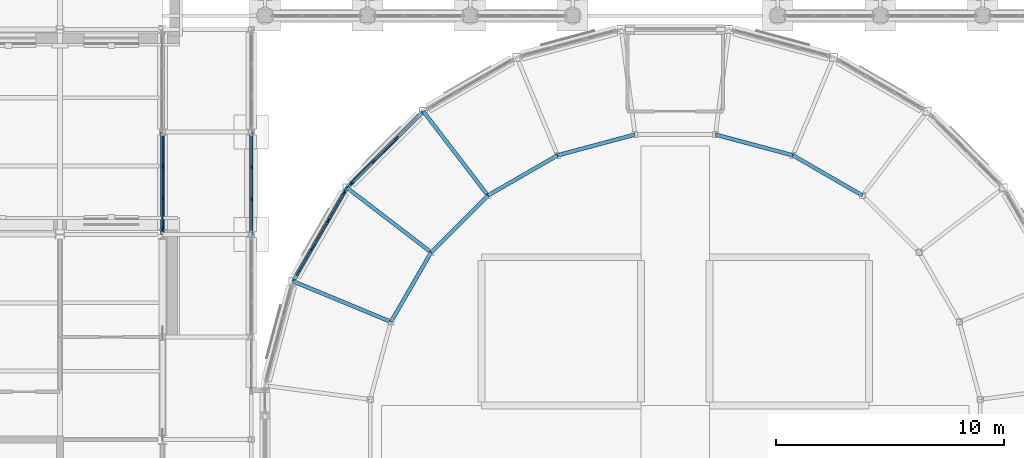
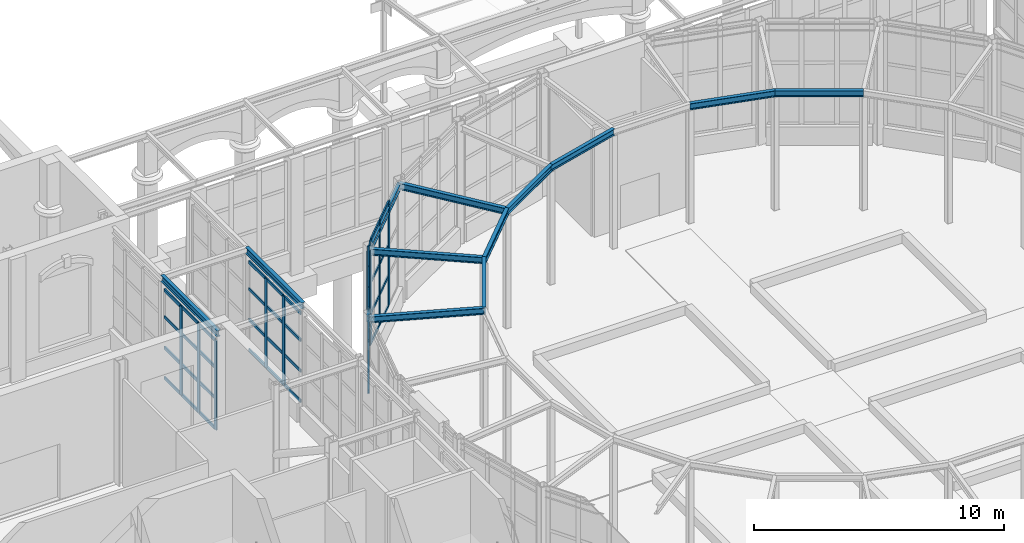
# One storey, part 31 of 106: 54 members, 13 beams, 4 elements without a shape of their own.
"""IFC4 building model written with IfcOpenShell, lengths in metres."""

from ifc_helpers import new_model, si_unit, direction, frame, origin, origin_2d, place, context, subcontext, project, spatial, rectangle, i_section, extrude, material, layer, layer_set, material_profile, profile_set, type_object, element, aggregate, save


model = new_model("IFC4")

# Units and contexts
model_context = context("Model", 3, precision=1e-05, world=origin(), true_north=direction((0.0, 1.0)))
body_context = subcontext(model_context, "Body", "Model", "MODEL_VIEW")
ifc_project = project(units=[si_unit("LENGTHUNIT", "METRE"), si_unit("AREAUNIT", "SQUARE_METRE"), si_unit("VOLUMEUNIT", "CUBIC_METRE"), si_unit("PLANEANGLEUNIT", "RADIAN"), si_unit("MASSUNIT", "GRAM", prefix="KILO")], contexts=[model_context])

# Site, building, storey
site_placement = place(None, origin())
site = spatial("IfcSite", under=ifc_project, at=site_placement, CompositionType="ELEMENT")
building_placement = place(site_placement, origin())
building = spatial("IfcBuilding", under=site, at=building_placement, Name="Hortulan Conservatory and Botanical Research Centre", CompositionType="ELEMENT")
storey_placement = place(building_placement, origin())
storey = spatial("IfcBuildingStorey", under=building, at=storey_placement, Name="L00", CompositionType="ELEMENT", Elevation=0.0)

# Curtain wall, members
ifc_material_1 = material(Name="Bronze-finished aluminium", Category="aluminium")
ifc_layer = layer(ifc_material_1, 0.10009765625)
ifc_layer_set = layer_set([ifc_layer], Name="Bronze-framed Curtain Wall 1500 module")
curtain_wall_type = type_object("IfcCurtainWallType", Name="Bronze-framed Curtain Wall 1500 module", PredefinedType="NOTDEFINED", material=ifc_layer_set)
curtain_wall_1_placement = place(storey_placement, origin())
curtain_wall_1 = element("IfcCurtainWall", 1, at=curtain_wall_1_placement, inside=storey, type_object=curtain_wall_type, Name="Curtain wall", PredefinedType="NOTDEFINED")
ifc_material_profile_1 = material_profile(ifc_material_1, rectangle(XDim=0.06005859375, YDim=0.199951171875, at=origin_2d()), Name="Bronze Mullion 60x200")
ifc_profile_set_1 = profile_set([ifc_material_profile_1], Name="Bronze-finished aluminium")
member_type_1 = type_object("IfcMemberType", Name="Bronze Mullion 60x200", PredefinedType="MULLION", material=ifc_profile_set_1)
member_1_placement = place(storey_placement, frame((39.792236328125, 29.248046875, 0.89990234375), z_axis=(0.0, 0.0, 1.0), x_axis=(-0.707118558159, 0.707095004018, 0.0)))
member_1 = element("IfcMember", 2, at=member_1_placement, type_object=member_type_1, Name="CW1 mullion 1", PredefinedType="MULLION", context=body_context, shape_type="SweptSolid", body=[
    extrude(rectangle(XDim=0.06005859375, YDim=0.199951171875, at=origin_2d()), origin(), (0.0, 0.0, 1.0), 5.10009765625),
])
member_2_placement = place(storey_placement, frame((40.771728515625, 30.2275390625, 0.89990234375), z_axis=(0.0, 0.0, 1.0), x_axis=(-0.707118558159, 0.707095004018, 0.0)))
member_2 = element("IfcMember", 3, at=member_2_placement, type_object=member_type_1, Name="CW1 mullion 2", PredefinedType="MULLION", context=body_context, shape_type="SweptSolid", body=[
    extrude(rectangle(XDim=0.06005859375, YDim=0.199951171875, at=origin_2d()), origin(), (0.0, 0.0, 1.0), 5.10009765625),
])
member_3_placement = place(storey_placement, frame((41.7724609375, 31.228271484375, 0.89990234375), z_axis=(0.0, 0.0, 1.0), x_axis=(-0.707118558159, 0.707095004018, 0.0)))
member_3 = element("IfcMember", 4, at=member_3_placement, type_object=member_type_1, Name="CW1 mullion 3", PredefinedType="MULLION", context=body_context, shape_type="SweptSolid", body=[
    extrude(rectangle(XDim=0.06005859375, YDim=0.199951171875, at=origin_2d()), origin(), (0.0, 0.0, 1.0), 5.10009765625),
])

curtain_wall_2_placement = place(storey_placement, origin())
curtain_wall_2 = element("IfcCurtainWall", 5, at=curtain_wall_2_placement, inside=storey, type_object=curtain_wall_type, Name="Curtain wall", PredefinedType="NOTDEFINED")
member_4_placement = place(storey_placement, frame((38.056396484375, 26.385009765625, 0.89990234375), z_axis=(0.0, 0.0, 1.0), x_axis=(-0.866036280655, 0.499981160235, 0.0)))
member_4 = element("IfcMember", 6, at=member_4_placement, type_object=member_type_1, Name="CW1 mullion 2", PredefinedType="MULLION", context=body_context, shape_type="SweptSolid", body=[
    extrude(rectangle(XDim=0.06005859375, YDim=0.199951171875, at=origin_2d()), origin(), (0.0, 0.0, 1.0), 5.10009765625),
])
member_5_placement = place(storey_placement, frame((38.7666015625, 27.614990234375, 0.89990234375), z_axis=(0.0, 0.0, 1.0), x_axis=(-0.866036280655, 0.499981160235, 0.0)))
member_5 = element("IfcMember", 7, at=member_5_placement, type_object=member_type_1, Name="CW1 mullion 3", PredefinedType="MULLION", context=body_context, shape_type="SweptSolid", body=[
    extrude(rectangle(XDim=0.06005859375, YDim=0.199951171875, at=origin_2d()), origin(), (0.0, 0.0, 1.0), 5.10009765625),
])
member_6_placement = place(storey_placement, frame((39.461669921875, 28.81884765625, 0.89990234375), z_axis=(0.0, 0.0, 1.0), x_axis=(-0.866036280655, 0.499981160235, 0.0)))
member_6 = element("IfcMember", 8, at=member_6_placement, type_object=member_type_1, Name="CW1 mullion 4", PredefinedType="MULLION", context=body_context, shape_type="SweptSolid", body=[
    extrude(rectangle(XDim=0.06005859375, YDim=0.199951171875, at=origin_2d()), origin(), (0.0, 0.0, 1.0), 5.10009765625),
])

curtain_wall_3_placement = place(storey_placement, origin())
curtain_wall_3 = element("IfcCurtainWall", 9, at=curtain_wall_3_placement, inside=storey, type_object=curtain_wall_type, Name="Curtain wall", PredefinedType="NOTDEFINED")
member_7_placement = place(storey_placement, frame((35.39990234375, 29.958251953125, 0.89990234375), z_axis=(0.0, 0.0, 1.0), x_axis=(1.0, 0.0, 0.0)))
member_7 = element("IfcMember", 10, at=member_7_placement, type_object=member_type_1, Name="CW1 mullion 2", PredefinedType="MULLION", context=body_context, shape_type="SweptSolid", body=[
    extrude(rectangle(XDim=0.06005859375, YDim=0.199951171875, at=origin_2d()), origin(), (0.0, 0.0, 1.0), 4.340087890625),
])
member_8_placement = place(storey_placement, frame((35.39990234375, 28.541748046875, 0.89990234375), z_axis=(0.0, 0.0, 1.0), x_axis=(1.0, 0.0, 0.0)))
member_8 = element("IfcMember", 11, at=member_8_placement, type_object=member_type_1, Name="CW1 mullion 3", PredefinedType="MULLION", context=body_context, shape_type="SweptSolid", body=[
    extrude(rectangle(XDim=0.06005859375, YDim=0.199951171875, at=origin_2d()), origin(), (0.0, 0.0, 1.0), 4.340087890625),
])

curtain_wall_4_placement = place(storey_placement, origin())
curtain_wall_4 = element("IfcCurtainWall", 12, at=curtain_wall_4_placement, inside=storey, type_object=curtain_wall_type, Name="Curtain wall", PredefinedType="NOTDEFINED")
member_9_placement = place(storey_placement, frame((31.5, 27.240966796875, 0.89990234375), z_axis=(0.0, 0.0, 1.0), x_axis=(-1.0, 0.0, 0.0)))
member_9 = element("IfcMember", 13, at=member_9_placement, type_object=member_type_1, Name="CW1 mullion 1", PredefinedType="MULLION", context=body_context, shape_type="SweptSolid", body=[
    extrude(rectangle(XDim=0.06005859375, YDim=0.199951171875, at=origin_2d()), origin(), (0.0, 0.0, 1.0), 4.340087890625),
])
member_10_placement = place(storey_placement, frame((31.5, 28.59912109375, 0.89990234375), z_axis=(0.0, 0.0, 1.0), x_axis=(-1.0, 0.0, 0.0)))
member_10 = element("IfcMember", 14, at=member_10_placement, type_object=member_type_1, Name="CW1 mullion 2", PredefinedType="MULLION", context=body_context, shape_type="SweptSolid", body=[
    extrude(rectangle(XDim=0.06005859375, YDim=0.199951171875, at=origin_2d()), origin(), (0.0, 0.0, 1.0), 4.340087890625),
])
member_11_placement = place(storey_placement, frame((31.5, 29.987060546875, 0.89990234375), z_axis=(0.0, 0.0, 1.0), x_axis=(-1.0, 0.0, 0.0)))
member_11 = element("IfcMember", 15, at=member_11_placement, type_object=member_type_1, Name="CW1 mullion 3", PredefinedType="MULLION", context=body_context, shape_type="SweptSolid", body=[
    extrude(rectangle(XDim=0.06005859375, YDim=0.199951171875, at=origin_2d()), origin(), (0.0, 0.0, 1.0), 4.340087890625),
])

# Member
ifc_material_profile_2 = material_profile(ifc_material_1, rectangle(XDim=0.06005859375, YDim=0.14990234375, at=origin_2d()), Name="Bronze Transom 60x150")
ifc_profile_set_2 = profile_set([ifc_material_profile_2], Name="Bronze-finished aluminium")
member_type_2 = type_object("IfcMemberType", Name="Bronze Transom 60x150", PredefinedType="USERDEFINED", material=ifc_profile_set_2)
member_12_placement = place(storey_placement, frame((39.8134765625, 29.269287109375, 0.929931640625), z_axis=(0.707106781187, 0.707106781187, 0.0), x_axis=(-0.707106781187, 0.707106781187, 0.0)))
member_12 = element("IfcMember", 16, at=member_12_placement, type_object=member_type_2, Name="CW1 transom 1.1", ObjectType="TRANSOM", PredefinedType="USERDEFINED", context=body_context, shape_type="SweptSolid", body=[
    extrude(rectangle(XDim=0.06005859375, YDim=0.14990234375, at=origin_2d()), origin(), (0.0, 0.0, 1.0), 1.3251953125),
])

member_13_placement = place(storey_placement, frame((39.8134765625, 29.269287109375, 2.39990234375), z_axis=(0.707106781187, 0.707106781187, 0.0), x_axis=(-0.707106781187, 0.707106781187, 0.0)))
member_13 = element("IfcMember", 17, at=member_13_placement, type_object=member_type_2, Name="CW1 transom 1.2", ObjectType="TRANSOM", PredefinedType="USERDEFINED", context=body_context, shape_type="SweptSolid", body=[
    extrude(rectangle(XDim=0.06005859375, YDim=0.14990234375, at=origin_2d()), origin(), (0.0, 0.0, 1.0), 1.3251953125),
])

member_14_placement = place(storey_placement, frame((39.8134765625, 29.269287109375, 3.89990234375), z_axis=(0.707106781187, 0.707106781187, 0.0), x_axis=(-0.707106781187, 0.707106781187, 0.0)))
member_14 = element("IfcMember", 18, at=member_14_placement, type_object=member_type_2, Name="CW1 transom 1.3", ObjectType="TRANSOM", PredefinedType="USERDEFINED", context=body_context, shape_type="SweptSolid", body=[
    extrude(rectangle(XDim=0.06005859375, YDim=0.14990234375, at=origin_2d()), origin(), (0.0, 0.0, 1.0), 1.3251953125),
])

member_15_placement = place(storey_placement, frame((39.8134765625, 29.269287109375, 5.969970703125), z_axis=(0.707106781187, 0.707106781187, 0.0), x_axis=(-0.707106781187, 0.707106781187, 0.0)))
member_15 = element("IfcMember", 19, at=member_15_placement, type_object=member_type_2, Name="CW1 transom 1.4", ObjectType="TRANSOM", PredefinedType="USERDEFINED", context=body_context, shape_type="SweptSolid", body=[
    extrude(rectangle(XDim=0.06005859375, YDim=0.14990234375, at=origin_2d()), origin(), (0.0, 0.0, 1.0), 1.3251953125),
])

member_16_placement = place(storey_placement, frame((40.79296875, 30.248779296875, 0.929931640625), z_axis=(0.707106781187, 0.707106781187, 0.0), x_axis=(-0.707106781187, 0.707106781187, 0.0)))
member_16 = element("IfcMember", 20, at=member_16_placement, type_object=member_type_2, Name="CW1 transom 2.1", ObjectType="TRANSOM", PredefinedType="USERDEFINED", context=body_context, shape_type="SweptSolid", body=[
    extrude(rectangle(XDim=0.06005859375, YDim=0.14990234375, at=origin_2d()), origin(), (0.0, 0.0, 1.0), 1.355224609375),
])

member_17_placement = place(storey_placement, frame((40.79296875, 30.248779296875, 2.39990234375), z_axis=(0.707106781187, 0.707106781187, 0.0), x_axis=(-0.707106781187, 0.707106781187, 0.0)))
member_17 = element("IfcMember", 21, at=member_17_placement, type_object=member_type_2, Name="CW1 transom 2.2", ObjectType="TRANSOM", PredefinedType="USERDEFINED", context=body_context, shape_type="SweptSolid", body=[
    extrude(rectangle(XDim=0.06005859375, YDim=0.14990234375, at=origin_2d()), origin(), (0.0, 0.0, 1.0), 1.355224609375),
])

member_18_placement = place(storey_placement, frame((40.79296875, 30.248779296875, 3.89990234375), z_axis=(0.707106781187, 0.707106781187, 0.0), x_axis=(-0.707106781187, 0.707106781187, 0.0)))
member_18 = element("IfcMember", 22, at=member_18_placement, type_object=member_type_2, Name="CW1 transom 2.3", ObjectType="TRANSOM", PredefinedType="USERDEFINED", context=body_context, shape_type="SweptSolid", body=[
    extrude(rectangle(XDim=0.06005859375, YDim=0.14990234375, at=origin_2d()), origin(), (0.0, 0.0, 1.0), 1.355224609375),
])

member_19_placement = place(storey_placement, frame((40.79296875, 30.248779296875, 5.969970703125), z_axis=(0.707106781187, 0.707106781187, 0.0), x_axis=(-0.707106781187, 0.707106781187, 0.0)))
member_19 = element("IfcMember", 23, at=member_19_placement, type_object=member_type_2, Name="CW1 transom 2.4", ObjectType="TRANSOM", PredefinedType="USERDEFINED", context=body_context, shape_type="SweptSolid", body=[
    extrude(rectangle(XDim=0.06005859375, YDim=0.14990234375, at=origin_2d()), origin(), (0.0, 0.0, 1.0), 1.355224609375),
])

aggregate(curtain_wall_1, [member_1, member_2, member_3, member_12, member_13, member_14, member_15, member_16, member_17, member_18, member_19])

member_20_placement = place(storey_placement, frame((37.37646484375, 25.20703125, 2.39990234375), z_axis=(0.499928984136, 0.866066400931, 0.0), x_axis=(-0.866066400931, 0.499928984136, 0.0)))
member_20 = element("IfcMember", 24, at=member_20_placement, type_object=member_type_2, Name="CW1 transom 1.2", ObjectType="TRANSOM", PredefinedType="USERDEFINED", context=body_context, shape_type="SweptSolid", body=[
    extrude(rectangle(XDim=0.06005859375, YDim=0.14990234375, at=origin_2d()), origin(), (0.0, 0.0, 1.0), 1.330322265625),
])

member_21_placement = place(storey_placement, frame((37.37646484375, 25.20703125, 3.89990234375), z_axis=(0.499928984136, 0.866066400931, 0.0), x_axis=(-0.866066400931, 0.499928984136, 0.0)))
member_21 = element("IfcMember", 25, at=member_21_placement, type_object=member_type_2, Name="CW1 transom 1.3", ObjectType="TRANSOM", PredefinedType="USERDEFINED", context=body_context, shape_type="SweptSolid", body=[
    extrude(rectangle(XDim=0.06005859375, YDim=0.14990234375, at=origin_2d()), origin(), (0.0, 0.0, 1.0), 1.330322265625),
])

member_22_placement = place(storey_placement, frame((37.37646484375, 25.20703125, 5.969970703125), z_axis=(0.499928984136, 0.866066400931, 0.0), x_axis=(-0.866066400931, 0.499928984136, 0.0)))
member_22 = element("IfcMember", 26, at=member_22_placement, type_object=member_type_2, Name="CW1 transom 1.4", ObjectType="TRANSOM", PredefinedType="USERDEFINED", context=body_context, shape_type="SweptSolid", body=[
    extrude(rectangle(XDim=0.06005859375, YDim=0.14990234375, at=origin_2d()), origin(), (0.0, 0.0, 1.0), 1.330322265625),
])

member_23_placement = place(storey_placement, frame((38.071533203125, 26.4111328125, 0.929931640625), z_axis=(0.499981459473, 0.866036107898, 0.0), x_axis=(-0.866036107898, 0.499981459473, 0.0)))
member_23 = element("IfcMember", 27, at=member_23_placement, type_object=member_type_2, Name="CW1 transom 2.1", ObjectType="TRANSOM", PredefinedType="USERDEFINED", context=body_context, shape_type="SweptSolid", body=[
    extrude(rectangle(XDim=0.06005859375, YDim=0.14990234375, at=origin_2d()), origin(), (0.0, 0.0, 1.0), 1.35986328125),
])

member_24_placement = place(storey_placement, frame((38.071533203125, 26.4111328125, 2.39990234375), z_axis=(0.499981459473, 0.866036107898, 0.0), x_axis=(-0.866036107898, 0.499981459473, 0.0)))
member_24 = element("IfcMember", 28, at=member_24_placement, type_object=member_type_2, Name="CW1 transom 2.2", ObjectType="TRANSOM", PredefinedType="USERDEFINED", context=body_context, shape_type="SweptSolid", body=[
    extrude(rectangle(XDim=0.06005859375, YDim=0.14990234375, at=origin_2d()), origin(), (0.0, 0.0, 1.0), 1.35986328125),
])

member_25_placement = place(storey_placement, frame((38.071533203125, 26.4111328125, 3.89990234375), z_axis=(0.499981459473, 0.866036107898, 0.0), x_axis=(-0.866036107898, 0.499981459473, 0.0)))
member_25 = element("IfcMember", 29, at=member_25_placement, type_object=member_type_2, Name="CW1 transom 2.3", ObjectType="TRANSOM", PredefinedType="USERDEFINED", context=body_context, shape_type="SweptSolid", body=[
    extrude(rectangle(XDim=0.06005859375, YDim=0.14990234375, at=origin_2d()), origin(), (0.0, 0.0, 1.0), 1.35986328125),
])

member_26_placement = place(storey_placement, frame((38.071533203125, 26.4111328125, 5.969970703125), z_axis=(0.499981459473, 0.866036107898, 0.0), x_axis=(-0.866036107898, 0.499981459473, 0.0)))
member_26 = element("IfcMember", 30, at=member_26_placement, type_object=member_type_2, Name="CW1 transom 2.4", ObjectType="TRANSOM", PredefinedType="USERDEFINED", context=body_context, shape_type="SweptSolid", body=[
    extrude(rectangle(XDim=0.06005859375, YDim=0.14990234375, at=origin_2d()), origin(), (0.0, 0.0, 1.0), 1.35986328125),
])

member_27_placement = place(storey_placement, frame((38.781494140625, 27.640869140625, 0.929931640625), z_axis=(0.499928984136, 0.866066400931, 0.0), x_axis=(-0.866066400931, 0.499928984136, 0.0)))
member_27 = element("IfcMember", 31, at=member_27_placement, type_object=member_type_2, Name="CW1 transom 3.1", ObjectType="TRANSOM", PredefinedType="USERDEFINED", context=body_context, shape_type="SweptSolid", body=[
    extrude(rectangle(XDim=0.06005859375, YDim=0.14990234375, at=origin_2d()), origin(), (0.0, 0.0, 1.0), 1.330322265625),
])

member_28_placement = place(storey_placement, frame((38.781494140625, 27.640869140625, 2.39990234375), z_axis=(0.499928984136, 0.866066400931, 0.0), x_axis=(-0.866066400931, 0.499928984136, 0.0)))
member_28 = element("IfcMember", 32, at=member_28_placement, type_object=member_type_2, Name="CW1 transom 3.2", ObjectType="TRANSOM", PredefinedType="USERDEFINED", context=body_context, shape_type="SweptSolid", body=[
    extrude(rectangle(XDim=0.06005859375, YDim=0.14990234375, at=origin_2d()), origin(), (0.0, 0.0, 1.0), 1.330322265625),
])

member_29_placement = place(storey_placement, frame((38.781494140625, 27.640869140625, 3.89990234375), z_axis=(0.499928984136, 0.866066400931, 0.0), x_axis=(-0.866066400931, 0.499928984136, 0.0)))
member_29 = element("IfcMember", 33, at=member_29_placement, type_object=member_type_2, Name="CW1 transom 3.3", ObjectType="TRANSOM", PredefinedType="USERDEFINED", context=body_context, shape_type="SweptSolid", body=[
    extrude(rectangle(XDim=0.06005859375, YDim=0.14990234375, at=origin_2d()), origin(), (0.0, 0.0, 1.0), 1.330322265625),
])

member_30_placement = place(storey_placement, frame((38.781494140625, 27.640869140625, 5.969970703125), z_axis=(0.499928984136, 0.866066400931, 0.0), x_axis=(-0.866066400931, 0.499928984136, 0.0)))
member_30 = element("IfcMember", 34, at=member_30_placement, type_object=member_type_2, Name="CW1 transom 3.4", ObjectType="TRANSOM", PredefinedType="USERDEFINED", context=body_context, shape_type="SweptSolid", body=[
    extrude(rectangle(XDim=0.06005859375, YDim=0.14990234375, at=origin_2d()), origin(), (0.0, 0.0, 1.0), 1.330322265625),
])

aggregate(curtain_wall_2, [member_4, member_5, member_6, member_20, member_21, member_22, member_23, member_24, member_25, member_26, member_27, member_28, member_29, member_30])

member_31_placement = place(storey_placement, frame((35.39990234375, 31.31494140625, 0.929931640625), z_axis=(0.0, -1.0, 0.0), x_axis=(1.0, 0.0, 0.0)))
member_31 = element("IfcMember", 35, at=member_31_placement, type_object=member_type_2, Name="CW1 transom 1.1", ObjectType="TRANSOM", PredefinedType="USERDEFINED", context=body_context, shape_type="SweptSolid", body=[
    extrude(rectangle(XDim=0.06005859375, YDim=0.14990234375, at=origin_2d()), origin(), (0.0, 0.0, 1.0), 1.32666015625),
])

member_32_placement = place(storey_placement, frame((35.39990234375, 31.31494140625, 2.39990234375), z_axis=(0.0, -1.0, 0.0), x_axis=(1.0, 0.0, 0.0)))
member_32 = element("IfcMember", 36, at=member_32_placement, type_object=member_type_2, Name="CW1 transom 1.2", ObjectType="TRANSOM", PredefinedType="USERDEFINED", context=body_context, shape_type="SweptSolid", body=[
    extrude(rectangle(XDim=0.06005859375, YDim=0.14990234375, at=origin_2d()), origin(), (0.0, 0.0, 1.0), 1.32666015625),
])

member_33_placement = place(storey_placement, frame((35.39990234375, 31.31494140625, 3.89990234375), z_axis=(0.0, -1.0, 0.0), x_axis=(1.0, 0.0, 0.0)))
member_33 = element("IfcMember", 37, at=member_33_placement, type_object=member_type_2, Name="CW1 transom 1.3", ObjectType="TRANSOM", PredefinedType="USERDEFINED", context=body_context, shape_type="SweptSolid", body=[
    extrude(rectangle(XDim=0.06005859375, YDim=0.14990234375, at=origin_2d()), origin(), (0.0, 0.0, 1.0), 1.32666015625),
])

member_34_placement = place(storey_placement, frame((35.39990234375, 31.31494140625, 5.2099609375), z_axis=(0.0, -1.0, 0.0), x_axis=(1.0, 0.0, 0.0)))
member_34 = element("IfcMember", 38, at=member_34_placement, type_object=member_type_2, Name="CW1 transom 1.4", ObjectType="TRANSOM", PredefinedType="USERDEFINED", context=body_context, shape_type="SweptSolid", body=[
    extrude(rectangle(XDim=0.06005859375, YDim=0.14990234375, at=origin_2d()), origin(), (0.0, 0.0, 1.0), 1.32666015625),
])

member_35_placement = place(storey_placement, frame((35.39990234375, 29.92822265625, 0.929931640625), z_axis=(0.0, -1.0, 0.0), x_axis=(1.0, 0.0, 0.0)))
member_35 = element("IfcMember", 39, at=member_35_placement, type_object=member_type_2, Name="CW1 transom 2.1", ObjectType="TRANSOM", PredefinedType="USERDEFINED", context=body_context, shape_type="SweptSolid", body=[
    extrude(rectangle(XDim=0.06005859375, YDim=0.14990234375, at=origin_2d()), origin(), (0.0, 0.0, 1.0), 1.3564453125),
])

member_36_placement = place(storey_placement, frame((35.39990234375, 29.92822265625, 2.39990234375), z_axis=(0.0, -1.0, 0.0), x_axis=(1.0, 0.0, 0.0)))
member_36 = element("IfcMember", 40, at=member_36_placement, type_object=member_type_2, Name="CW1 transom 2.2", ObjectType="TRANSOM", PredefinedType="USERDEFINED", context=body_context, shape_type="SweptSolid", body=[
    extrude(rectangle(XDim=0.06005859375, YDim=0.14990234375, at=origin_2d()), origin(), (0.0, 0.0, 1.0), 1.3564453125),
])

member_37_placement = place(storey_placement, frame((35.39990234375, 29.92822265625, 3.89990234375), z_axis=(0.0, -1.0, 0.0), x_axis=(1.0, 0.0, 0.0)))
member_37 = element("IfcMember", 41, at=member_37_placement, type_object=member_type_2, Name="CW1 transom 2.3", ObjectType="TRANSOM", PredefinedType="USERDEFINED", context=body_context, shape_type="SweptSolid", body=[
    extrude(rectangle(XDim=0.06005859375, YDim=0.14990234375, at=origin_2d()), origin(), (0.0, 0.0, 1.0), 1.3564453125),
])

member_38_placement = place(storey_placement, frame((35.39990234375, 29.92822265625, 5.2099609375), z_axis=(0.0, -1.0, 0.0), x_axis=(1.0, 0.0, 0.0)))
member_38 = element("IfcMember", 42, at=member_38_placement, type_object=member_type_2, Name="CW1 transom 2.4", ObjectType="TRANSOM", PredefinedType="USERDEFINED", context=body_context, shape_type="SweptSolid", body=[
    extrude(rectangle(XDim=0.06005859375, YDim=0.14990234375, at=origin_2d()), origin(), (0.0, 0.0, 1.0), 1.3564453125),
])

member_39_placement = place(storey_placement, frame((35.39990234375, 28.51171875, 0.929931640625), z_axis=(0.0, -1.0, 0.0), x_axis=(1.0, 0.0, 0.0)))
member_39 = element("IfcMember", 43, at=member_39_placement, type_object=member_type_2, Name="CW1 transom 3.1", ObjectType="TRANSOM", PredefinedType="USERDEFINED", context=body_context, shape_type="SweptSolid", body=[
    extrude(rectangle(XDim=0.06005859375, YDim=0.14990234375, at=origin_2d()), origin(), (0.0, 0.0, 1.0), 1.32666015625),
])

member_40_placement = place(storey_placement, frame((35.39990234375, 28.51171875, 2.39990234375), z_axis=(0.0, -1.0, 0.0), x_axis=(1.0, 0.0, 0.0)))
member_40 = element("IfcMember", 44, at=member_40_placement, type_object=member_type_2, Name="CW1 transom 3.2", ObjectType="TRANSOM", PredefinedType="USERDEFINED", context=body_context, shape_type="SweptSolid", body=[
    extrude(rectangle(XDim=0.06005859375, YDim=0.14990234375, at=origin_2d()), origin(), (0.0, 0.0, 1.0), 1.32666015625),
])

member_41_placement = place(storey_placement, frame((35.39990234375, 28.51171875, 3.89990234375), z_axis=(0.0, -1.0, 0.0), x_axis=(1.0, 0.0, 0.0)))
member_41 = element("IfcMember", 45, at=member_41_placement, type_object=member_type_2, Name="CW1 transom 3.3", ObjectType="TRANSOM", PredefinedType="USERDEFINED", context=body_context, shape_type="SweptSolid", body=[
    extrude(rectangle(XDim=0.06005859375, YDim=0.14990234375, at=origin_2d()), origin(), (0.0, 0.0, 1.0), 1.32666015625),
])

member_42_placement = place(storey_placement, frame((35.39990234375, 28.51171875, 5.2099609375), z_axis=(0.0, -1.0, 0.0), x_axis=(1.0, 0.0, 0.0)))
member_42 = element("IfcMember", 46, at=member_42_placement, type_object=member_type_2, Name="CW1 transom 3.4", ObjectType="TRANSOM", PredefinedType="USERDEFINED", context=body_context, shape_type="SweptSolid", body=[
    extrude(rectangle(XDim=0.06005859375, YDim=0.14990234375, at=origin_2d()), origin(), (0.0, 0.0, 1.0), 1.32666015625),
])

aggregate(curtain_wall_3, [member_7, member_8, member_31, member_32, member_33, member_34, member_35, member_36, member_37, member_38, member_39, member_40, member_41, member_42])

member_43_placement = place(storey_placement, frame((31.5, 27.27099609375, 0.929931640625), z_axis=(0.0, 1.0, 0.0), x_axis=(-1.0, 0.0, 0.0)))
member_43 = element("IfcMember", 47, at=member_43_placement, type_object=member_type_2, Name="CW1 transom 1.1", ObjectType="TRANSOM", PredefinedType="USERDEFINED", context=body_context, shape_type="SweptSolid", body=[
    extrude(rectangle(XDim=0.06005859375, YDim=0.14990234375, at=origin_2d()), origin(), (0.0, 0.0, 1.0), 1.298095703125),
])

member_44_placement = place(storey_placement, frame((31.5, 27.27099609375, 2.39990234375), z_axis=(0.0, 1.0, 0.0), x_axis=(-1.0, 0.0, 0.0)))
member_44 = element("IfcMember", 48, at=member_44_placement, type_object=member_type_2, Name="CW1 transom 1.2", ObjectType="TRANSOM", PredefinedType="USERDEFINED", context=body_context, shape_type="SweptSolid", body=[
    extrude(rectangle(XDim=0.06005859375, YDim=0.14990234375, at=origin_2d()), origin(), (0.0, 0.0, 1.0), 1.298095703125),
])

member_45_placement = place(storey_placement, frame((31.5, 27.27099609375, 3.89990234375), z_axis=(0.0, 1.0, 0.0), x_axis=(-1.0, 0.0, 0.0)))
member_45 = element("IfcMember", 49, at=member_45_placement, type_object=member_type_2, Name="CW1 transom 1.3", ObjectType="TRANSOM", PredefinedType="USERDEFINED", context=body_context, shape_type="SweptSolid", body=[
    extrude(rectangle(XDim=0.06005859375, YDim=0.14990234375, at=origin_2d()), origin(), (0.0, 0.0, 1.0), 1.298095703125),
])

member_46_placement = place(storey_placement, frame((31.5, 27.27099609375, 5.2099609375), z_axis=(0.0, 1.0, 0.0), x_axis=(-1.0, 0.0, 0.0)))
member_46 = element("IfcMember", 50, at=member_46_placement, type_object=member_type_2, Name="CW1 transom 1.4", ObjectType="TRANSOM", PredefinedType="USERDEFINED", context=body_context, shape_type="SweptSolid", body=[
    extrude(rectangle(XDim=0.06005859375, YDim=0.14990234375, at=origin_2d()), origin(), (0.0, 0.0, 1.0), 1.298095703125),
])

member_47_placement = place(storey_placement, frame((31.5, 28.62890625, 0.929931640625), z_axis=(0.0, 1.0, 0.0), x_axis=(-1.0, 0.0, 0.0)))
member_47 = element("IfcMember", 51, at=member_47_placement, type_object=member_type_2, Name="CW1 transom 2.1", ObjectType="TRANSOM", PredefinedType="USERDEFINED", context=body_context, shape_type="SweptSolid", body=[
    extrude(rectangle(XDim=0.06005859375, YDim=0.14990234375, at=origin_2d()), origin(), (0.0, 0.0, 1.0), 1.328125),
])

member_48_placement = place(storey_placement, frame((31.5, 28.62890625, 2.39990234375), z_axis=(0.0, 1.0, 0.0), x_axis=(-1.0, 0.0, 0.0)))
member_48 = element("IfcMember", 52, at=member_48_placement, type_object=member_type_2, Name="CW1 transom 2.2", ObjectType="TRANSOM", PredefinedType="USERDEFINED", context=body_context, shape_type="SweptSolid", body=[
    extrude(rectangle(XDim=0.06005859375, YDim=0.14990234375, at=origin_2d()), origin(), (0.0, 0.0, 1.0), 1.328125),
])

member_49_placement = place(storey_placement, frame((31.5, 28.62890625, 3.89990234375), z_axis=(0.0, 1.0, 0.0), x_axis=(-1.0, 0.0, 0.0)))
member_49 = element("IfcMember", 53, at=member_49_placement, type_object=member_type_2, Name="CW1 transom 2.3", ObjectType="TRANSOM", PredefinedType="USERDEFINED", context=body_context, shape_type="SweptSolid", body=[
    extrude(rectangle(XDim=0.06005859375, YDim=0.14990234375, at=origin_2d()), origin(), (0.0, 0.0, 1.0), 1.328125),
])

member_50_placement = place(storey_placement, frame((31.5, 28.62890625, 5.2099609375), z_axis=(0.0, 1.0, 0.0), x_axis=(-1.0, 0.0, 0.0)))
member_50 = element("IfcMember", 54, at=member_50_placement, type_object=member_type_2, Name="CW1 transom 2.4", ObjectType="TRANSOM", PredefinedType="USERDEFINED", context=body_context, shape_type="SweptSolid", body=[
    extrude(rectangle(XDim=0.06005859375, YDim=0.14990234375, at=origin_2d()), origin(), (0.0, 0.0, 1.0), 1.328125),
])

member_51_placement = place(storey_placement, frame((31.5, 30.01708984375, 0.929931640625), z_axis=(0.0, 1.0, 0.0), x_axis=(-1.0, 0.0, 0.0)))
member_51 = element("IfcMember", 55, at=member_51_placement, type_object=member_type_2, Name="CW1 transom 3.1", ObjectType="TRANSOM", PredefinedType="USERDEFINED", context=body_context, shape_type="SweptSolid", body=[
    extrude(rectangle(XDim=0.06005859375, YDim=0.14990234375, at=origin_2d()), origin(), (0.0, 0.0, 1.0), 1.2978515625),
])

member_52_placement = place(storey_placement, frame((31.5, 30.01708984375, 2.39990234375), z_axis=(0.0, 1.0, 0.0), x_axis=(-1.0, 0.0, 0.0)))
member_52 = element("IfcMember", 56, at=member_52_placement, type_object=member_type_2, Name="CW1 transom 3.2", ObjectType="TRANSOM", PredefinedType="USERDEFINED", context=body_context, shape_type="SweptSolid", body=[
    extrude(rectangle(XDim=0.06005859375, YDim=0.14990234375, at=origin_2d()), origin(), (0.0, 0.0, 1.0), 1.2978515625),
])

member_53_placement = place(storey_placement, frame((31.5, 30.01708984375, 3.89990234375), z_axis=(0.0, 1.0, 0.0), x_axis=(-1.0, 0.0, 0.0)))
member_53 = element("IfcMember", 57, at=member_53_placement, type_object=member_type_2, Name="CW1 transom 3.3", ObjectType="TRANSOM", PredefinedType="USERDEFINED", context=body_context, shape_type="SweptSolid", body=[
    extrude(rectangle(XDim=0.06005859375, YDim=0.14990234375, at=origin_2d()), origin(), (0.0, 0.0, 1.0), 1.2978515625),
])

member_54_placement = place(storey_placement, frame((31.5, 30.01708984375, 5.2099609375), z_axis=(0.0, 1.0, 0.0), x_axis=(-1.0, 0.0, 0.0)))
member_54 = element("IfcMember", 58, at=member_54_placement, type_object=member_type_2, Name="CW1 transom 3.4", ObjectType="TRANSOM", PredefinedType="USERDEFINED", context=body_context, shape_type="SweptSolid", body=[
    extrude(rectangle(XDim=0.06005859375, YDim=0.14990234375, at=origin_2d()), origin(), (0.0, 0.0, 1.0), 1.2978515625),
])

aggregate(curtain_wall_4, [member_9, member_10, member_11, member_43, member_44, member_45, member_46, member_47, member_48, member_49, member_50, member_51, member_52, member_53, member_54])

# Beams
ifc_material_2 = material(Name="Steel Grade 300PLUS (AS/NZS 3679.1, 280 MPa minimum yield)", Category="steel")
ifc_material_profile_3 = material_profile(ifc_material_2, i_section(OverallWidth=0.166015625, OverallDepth=0.306884765625, WebThickness=0.006591796875, FlangeThickness=0.01171875, FilletRadius=0.011474609375, at=origin_2d()), Name="310UB46.2")
ifc_profile_set_3 = profile_set([ifc_material_profile_3], Name="Steel Grade 300PLUS (AS/NZS 3679.1, 280 MPa minimum yield)")
beam_type_1 = type_object("IfcBeamType", Name="Dome Canopy Walk Beam 310UB46.2", PredefinedType="BEAM", material=ifc_profile_set_3)
for number, where, z_axis, x_axis, name in (
    (59, (45.78173828125, 28.710205078125, 5.646484375), (-0.608757379764, 0.79335644737, 0.0), (-0.79335644737, -0.608757379764, 0.0), "Canopy walk radial beam 09"),
    (60, (43.289794921875, 26.21826171875, 5.646484375), (-0.79335644737, 0.608757379764, 0.0), (-0.608757379764, -0.79335644737, 0.0), "Canopy walk radial beam 10"),
    (61, (41.527587890625, 23.166259765625, 5.646484375), (-0.92387556656, 0.382693006879, 0.0), (-0.382693006879, -0.92387556656, 0.0), "Canopy walk radial beam 11"),
):
    element("IfcBeam", number, at=place(storey_placement, frame(where, z_axis=z_axis, x_axis=x_axis)), inside=storey, type_object=beam_type_1, Name=name, PredefinedType="BEAM", context=body_context, shape_type="SweptSolid", body=[
        extrude(i_section(OverallWidth=0.166015625, OverallDepth=0.306884765625, WebThickness=0.006591796875, FlangeThickness=0.01171875, FilletRadius=0.011474609375, at=origin_2d()), origin(), (0.0, 0.0, 1.0), 4.6552734375),
    ])
for number, where, z_axis, x_axis, name in (
    (62, (42.94775390625, 32.403564453125, 5.646484375), (-0.707106781187, -0.707106781187, 0.0), (0.707106781187, -0.707106781187, 0.0), "Canopy walk edge beam 09"),
    (63, (39.596435546875, 29.05224609375, 5.646484375), (-0.4999840544, -0.866034609785, 0.0), (0.866034609785, -0.4999840544, 0.0), "Canopy walk edge beam 10"),
):
    element("IfcBeam", number, at=place(storey_placement, frame(where, z_axis=z_axis, x_axis=x_axis)), inside=storey, type_object=beam_type_1, Name=name, PredefinedType="BEAM", context=body_context, shape_type="SweptSolid", body=[
        extrude(i_section(OverallWidth=0.166015625, OverallDepth=0.306884765625, WebThickness=0.006591796875, FlangeThickness=0.01171875, FilletRadius=0.011474609375, at=origin_2d()), origin(), (0.0, 0.0, 1.0), 4.739501953125),
    ])
for number, where, z_axis, x_axis, name in (
    (64, (62.21826171875, 28.710205078125, 5.646484375), (-0.866009076391, 0.500028278809, 0.0), (-0.500028278809, -0.866009076391, 0.0), "Canopy walk inner beam 04"),
    (65, (59.166259765625, 30.472412109375, 5.646484375), (-0.965926096296, 0.258818037421, 0.0), (-0.258818037421, -0.965926096296, 0.0), "Canopy walk inner beam 05"),
    (66, (52.23779296875, 31.384521484375, 5.646484375), (-0.965926096296, -0.258818037421, 0.0), (0.258818037421, -0.965926096296, 0.0), "Canopy walk inner beam 07"),
    (67, (48.833740234375, 30.472412109375, 5.646484375), (-0.866009076391, -0.500028278809, 0.0), (0.500028278809, -0.866009076391, 0.0), "Canopy walk inner beam 08"),
    (68, (45.78173828125, 28.710205078125, 5.646484375), (-0.707106781187, -0.707106781187, 0.0), (0.707106781187, -0.707106781187, 0.0), "Canopy walk inner beam 09"),
    (69, (43.289794921875, 26.21826171875, 5.646484375), (-0.500028278809, -0.866009076391, 0.0), (0.866009076391, -0.500028278809, 0.0), "Canopy walk inner beam 10"),
):
    element("IfcBeam", number, at=place(storey_placement, frame(where, z_axis=z_axis, x_axis=x_axis)), inside=storey, type_object=beam_type_1, Name=name, PredefinedType="BEAM", context=body_context, shape_type="SweptSolid", body=[
        extrude(i_section(OverallWidth=0.166015625, OverallDepth=0.306884765625, WebThickness=0.006591796875, FlangeThickness=0.01171875, FilletRadius=0.011474609375, at=origin_2d()), origin(), (0.0, 0.0, 1.0), 3.524169921875),
    ])
ifc_material_profile_4 = material_profile(ifc_material_2, i_section(OverallWidth=0.1650390625, OverallDepth=0.303955078125, WebThickness=0.006103515625, FlangeThickness=0.01025390625, FilletRadius=0.011474609375, at=origin_2d()), Name="310UB40.4")
ifc_profile_set_4 = profile_set([ifc_material_profile_4], Name="Steel Grade 300PLUS (AS/NZS 3679.1, 280 MPa minimum yield)")
beam_type_2 = type_object("IfcBeamType", Name="Head Link Beam 310UB40.4", PredefinedType="BEAM", material=ifc_profile_set_4)
for number, where, z_axis, x_axis, name in (
    (70, (31.5, 27.0, 5.697998046875), (0.0, 1.0, 0.0), (-1.0, 0.0, 0.0), "HW passage beam 3"),
    (71, (35.39990234375, 27.0, 5.697998046875), (0.0, 1.0, 0.0), (-1.0, 0.0, 0.0), "HW passage beam 4"),
):
    element("IfcBeam", number, at=place(storey_placement, frame(where, z_axis=z_axis, x_axis=x_axis)), inside=storey, type_object=beam_type_2, Name=name, PredefinedType="BEAM", context=body_context, shape_type="SweptSolid", body=[
        extrude(i_section(OverallWidth=0.1650390625, OverallDepth=0.303955078125, WebThickness=0.006103515625, FlangeThickness=0.01025390625, FilletRadius=0.011474609375, at=origin_2d()), origin(), (0.0, 0.0, 1.0), 4.5),
    ])

save(model, "model.ifc")
